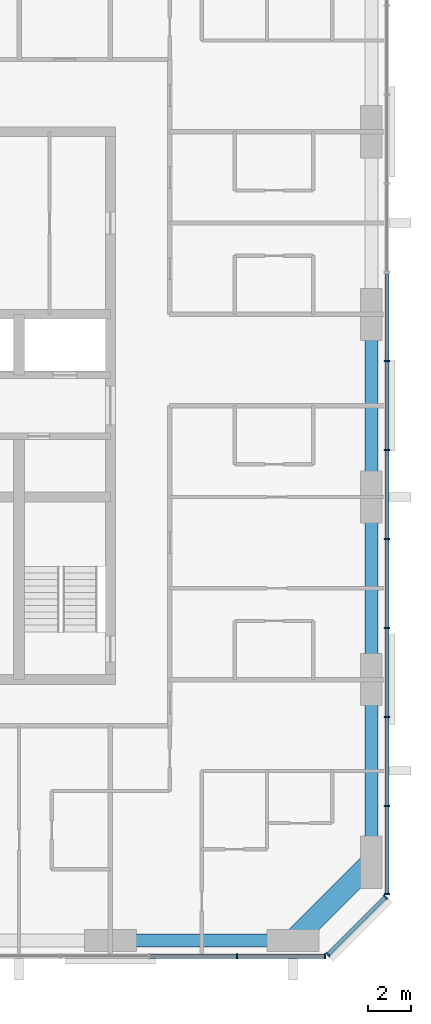
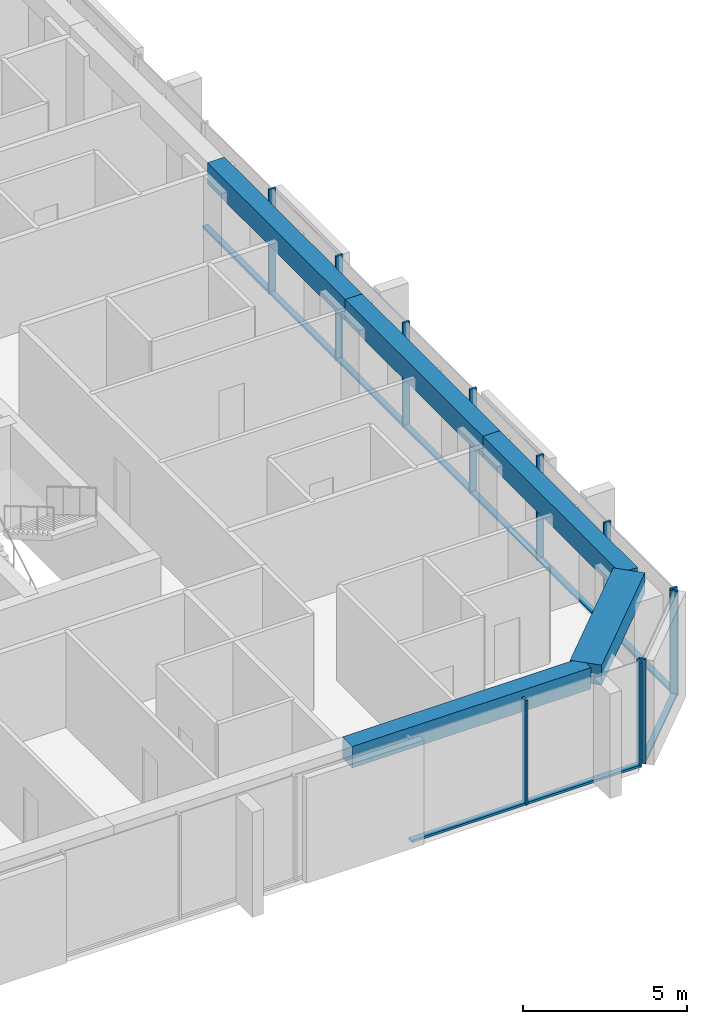
# One storey, part 3 of 12: 21 members, 5 beams, 3 elements without a shape of their own.
"""IFC4 building model written with IfcOpenShell, lengths in metres."""

from ifc_helpers import new_model, si_unit, direction, frame, origin, origin_2d, place, context, subcontext, project, spatial, rectangle, extrude, material, material_profile, profile_set, type_object, element, aggregate, save


model = new_model("IFC4")

# Units and contexts
model_context = context("Model", 3, precision=1e-05, world=origin(), true_north=direction((0.0, 1.0)))
body_context = subcontext(model_context, "Body", "Model", "MODEL_VIEW")
ifc_project = project(units=[si_unit("LENGTHUNIT", "METRE"), si_unit("AREAUNIT", "SQUARE_METRE"), si_unit("VOLUMEUNIT", "CUBIC_METRE"), si_unit("PLANEANGLEUNIT", "RADIAN"), si_unit("MASSUNIT", "GRAM", prefix="KILO")], contexts=[model_context])

# Site, building, storey
site_placement = place(None, origin())
site = spatial("IfcSite", under=ifc_project, at=site_placement, CompositionType="ELEMENT")
building_placement = place(site_placement, origin())
building = spatial("IfcBuilding", under=site, at=building_placement, Name="Dunama Terrace Hotel", CompositionType="ELEMENT")
storey_placement = place(building_placement, frame((0.0, 0.0, 252.89990234375)))
storey = spatial("IfcBuildingStorey", under=building, at=storey_placement, Name="L65", CompositionType="ELEMENT", Elevation=252.89990234375)

# Curtain wall, members
ifc_material_1 = material(Name="Aluminium curtain wall system", Category="aluminium")
curtain_wall_type = type_object("IfcCurtainWallType", Name="Unitised fritted glass wall CW-D", PredefinedType="NOTDEFINED", material=ifc_material_1)
curtain_wall_1_placement = place(storey_placement, origin())
curtain_wall_1 = element("IfcCurtainWall", 1, at=curtain_wall_1_placement, inside=storey, type_object=curtain_wall_type, Name="Unitised fritted glass wall CW-D L65", PredefinedType="NOTDEFINED")
ifc_material_2 = material(Name="Aluminium mullion", Category="aluminium")
ifc_material_profile_1 = material_profile(ifc_material_2, rectangle(XDim=0.070068359375, YDim=0.239990234375, at=origin_2d()), Name="CWD MULLION 70X240")
ifc_profile_set_1 = profile_set([ifc_material_profile_1], Name="Aluminium mullion")
member_type_1 = type_object("IfcMemberType", Name="CWD mullion 70x240", PredefinedType="MULLION", material=ifc_profile_set_1)
member_1_placement = place(storey_placement, frame((47.8330078125, 4.080078125, 0.0), z_axis=(0.0, 0.0, 1.0), x_axis=(1.0, 0.0, 0.0)))
member_1 = element("IfcMember", 2, at=member_1_placement, type_object=member_type_1, Name="CWD mullion", PredefinedType="MULLION", context=body_context, shape_type="SweptSolid", body=[
    extrude(rectangle(XDim=0.070068359375, YDim=0.239990234375, at=origin_2d()), origin(), (0.0, 0.0, 1.0), 3.900146484375),
])
member_2_placement = place(storey_placement, frame((51.864990234375, 4.080078125, 0.0), z_axis=(0.0, 0.0, 1.0), x_axis=(1.0, 0.0, 0.0)))
member_2 = element("IfcMember", 3, at=member_2_placement, type_object=member_type_1, Name="CWD mullion", PredefinedType="MULLION", context=body_context, shape_type="SweptSolid", body=[
    extrude(rectangle(XDim=0.070068359375, YDim=0.239990234375, at=origin_2d()), origin(), (0.0, 0.0, 1.0), 3.900146484375),
])

curtain_wall_2_placement = place(storey_placement, origin())
curtain_wall_2 = element("IfcCurtainWall", 4, at=curtain_wall_2_placement, inside=storey, type_object=curtain_wall_type, Name="Unitised fritted glass wall CW-D L65", PredefinedType="NOTDEFINED")
member_3_placement = place(storey_placement, frame((52.010009765625, 4.139892578125, 0.0), z_axis=(0.0, 0.0, 1.0), x_axis=(0.707106781187, 0.707106781187, 0.0)))
member_3 = element("IfcMember", 5, at=member_3_placement, type_object=member_type_1, Name="CWD mullion", PredefinedType="MULLION", context=body_context, shape_type="SweptSolid", body=[
    extrude(rectangle(XDim=0.070068359375, YDim=0.239990234375, at=origin_2d()), origin(), (0.0, 0.0, 1.0), 3.900146484375),
])
member_4_placement = place(storey_placement, frame((54.659912109375, 6.7900390625, 0.0), z_axis=(0.0, 0.0, 1.0), x_axis=(0.707106781187, 0.707106781187, 0.0)))
member_4 = element("IfcMember", 6, at=member_4_placement, type_object=member_type_1, Name="CWD mullion", PredefinedType="MULLION", context=body_context, shape_type="SweptSolid", body=[
    extrude(rectangle(XDim=0.070068359375, YDim=0.239990234375, at=origin_2d()), origin(), (0.0, 0.0, 1.0), 3.900146484375),
])

curtain_wall_3_placement = place(storey_placement, origin())
curtain_wall_3 = element("IfcCurtainWall", 7, at=curtain_wall_3_placement, inside=storey, type_object=curtain_wall_type, Name="Unitised fritted glass wall CW-D L65", PredefinedType="NOTDEFINED")
member_5_placement = place(storey_placement, frame((54.719970703125, 6.93505859375, 0.0), z_axis=(0.0, 0.0, 1.0), x_axis=(0.0, 1.0, 0.0)))
member_5 = element("IfcMember", 8, at=member_5_placement, type_object=member_type_1, Name="CWD mullion", PredefinedType="MULLION", context=body_context, shape_type="SweptSolid", body=[
    extrude(rectangle(XDim=0.070068359375, YDim=0.239990234375, at=origin_2d()), origin(), (0.0, 0.0, 1.0), 3.900146484375),
])
member_6_placement = place(storey_placement, frame((54.719970703125, 10.990966796875, 0.0), z_axis=(0.0, 0.0, 1.0), x_axis=(0.0, 1.0, 0.0)))
member_6 = element("IfcMember", 9, at=member_6_placement, type_object=member_type_1, Name="CWD mullion", PredefinedType="MULLION", context=body_context, shape_type="SweptSolid", body=[
    extrude(rectangle(XDim=0.070068359375, YDim=0.239990234375, at=origin_2d()), origin(), (0.0, 0.0, 1.0), 3.900146484375),
])
member_7_placement = place(storey_placement, frame((54.719970703125, 15.08203125, 0.0), z_axis=(0.0, 0.0, 1.0), x_axis=(0.0, 1.0, 0.0)))
member_7 = element("IfcMember", 10, at=member_7_placement, type_object=member_type_1, Name="CWD mullion", PredefinedType="MULLION", context=body_context, shape_type="SweptSolid", body=[
    extrude(rectangle(XDim=0.070068359375, YDim=0.239990234375, at=origin_2d()), origin(), (0.0, 0.0, 1.0), 3.900146484375),
])
member_8_placement = place(storey_placement, frame((54.719970703125, 19.173095703125, 0.0), z_axis=(0.0, 0.0, 1.0), x_axis=(0.0, 1.0, 0.0)))
member_8 = element("IfcMember", 11, at=member_8_placement, type_object=member_type_1, Name="CWD mullion", PredefinedType="MULLION", context=body_context, shape_type="SweptSolid", body=[
    extrude(rectangle(XDim=0.070068359375, YDim=0.239990234375, at=origin_2d()), origin(), (0.0, 0.0, 1.0), 3.900146484375),
])
member_9_placement = place(storey_placement, frame((54.719970703125, 23.263916015625, 0.0), z_axis=(0.0, 0.0, 1.0), x_axis=(0.0, 1.0, 0.0)))
member_9 = element("IfcMember", 12, at=member_9_placement, type_object=member_type_1, Name="CWD mullion", PredefinedType="MULLION", context=body_context, shape_type="SweptSolid", body=[
    extrude(rectangle(XDim=0.070068359375, YDim=0.239990234375, at=origin_2d()), origin(), (0.0, 0.0, 1.0), 3.900146484375),
])
member_10_placement = place(storey_placement, frame((54.719970703125, 27.35498046875, 0.0), z_axis=(0.0, 0.0, 1.0), x_axis=(0.0, 1.0, 0.0)))
member_10 = element("IfcMember", 13, at=member_10_placement, type_object=member_type_1, Name="CWD mullion", PredefinedType="MULLION", context=body_context, shape_type="SweptSolid", body=[
    extrude(rectangle(XDim=0.070068359375, YDim=0.239990234375, at=origin_2d()), origin(), (0.0, 0.0, 1.0), 3.900146484375),
])
member_11_placement = place(storey_placement, frame((54.719970703125, 31.445068359375, 0.0), z_axis=(0.0, 0.0, 1.0), x_axis=(0.0, 1.0, 0.0)))
member_11 = element("IfcMember", 14, at=member_11_placement, type_object=member_type_1, Name="CWD mullion", PredefinedType="MULLION", context=body_context, shape_type="SweptSolid", body=[
    extrude(rectangle(XDim=0.070068359375, YDim=0.239990234375, at=origin_2d()), origin(), (0.0, 0.0, 1.0), 3.900146484375),
])

# Member
ifc_material_3 = material(Name="Aluminium transom", Category="aluminium")
ifc_material_profile_2 = material_profile(ifc_material_3, rectangle(XDim=0.199951171875, YDim=0.0849609375, at=origin_2d()), Name="CWD TRANSOM 200X85")
ifc_profile_set_2 = profile_set([ifc_material_profile_2], Name="Aluminium transom")
member_type_2 = type_object("IfcMemberType", Name="CWD transom 200x85", PredefinedType="USERDEFINED", material=ifc_profile_set_2)
member_12_placement = place(storey_placement, frame((43.802001953125, 4.080078125, 0.04248046875), z_axis=(1.0, 0.0, 0.0), x_axis=(0.0, 1.0, 0.0)))
member_12 = element("IfcMember", 15, at=member_12_placement, type_object=member_type_2, Name="CWD transom", ObjectType="TRANSOM", PredefinedType="USERDEFINED", context=body_context, shape_type="SweptSolid", body=[
    extrude(rectangle(XDim=0.199951171875, YDim=0.0849609375, at=origin_2d()), origin(), (0.0, 0.0, 1.0), 3.99609375),
])

member_13_placement = place(storey_placement, frame((47.867919921875, 4.080078125, 0.04248046875), z_axis=(1.0, 0.0, 0.0), x_axis=(0.0, 1.0, 0.0)))
member_13 = element("IfcMember", 16, at=member_13_placement, type_object=member_type_2, Name="CWD transom", ObjectType="TRANSOM", PredefinedType="USERDEFINED", context=body_context, shape_type="SweptSolid", body=[
    extrude(rectangle(XDim=0.199951171875, YDim=0.0849609375, at=origin_2d()), origin(), (0.0, 0.0, 1.0), 3.962158203125),
])

aggregate(curtain_wall_1, [member_1, member_2, member_12, member_13])

member_14_placement = place(storey_placement, frame((52.033935546875, 4.1650390625, 0.04248046875), z_axis=(0.707106781187, 0.707106781187, 0.0), x_axis=(-0.707106781187, 0.707106781187, 0.0)))
member_14 = element("IfcMember", 17, at=member_14_placement, type_object=member_type_2, Name="CWD transom", ObjectType="TRANSOM", PredefinedType="USERDEFINED", context=body_context, shape_type="SweptSolid", body=[
    extrude(rectangle(XDim=0.199951171875, YDim=0.0849609375, at=origin_2d()), origin(), (0.0, 0.0, 1.0), 3.678466796875),
])

aggregate(curtain_wall_2, [member_3, member_4, member_14])

member_15_placement = place(storey_placement, frame((54.719970703125, 6.969970703125, 0.04248046875), z_axis=(0.0, 1.0, 0.0), x_axis=(-1.0, 0.0, 0.0)))
member_15 = element("IfcMember", 18, at=member_15_placement, type_object=member_type_2, Name="CWD transom", ObjectType="TRANSOM", PredefinedType="USERDEFINED", context=body_context, shape_type="SweptSolid", body=[
    extrude(rectangle(XDim=0.199951171875, YDim=0.0849609375, at=origin_2d()), origin(), (0.0, 0.0, 1.0), 3.986083984375),
])

member_16_placement = place(storey_placement, frame((54.719970703125, 11.02587890625, 0.04248046875), z_axis=(0.0, 1.0, 0.0), x_axis=(-1.0, 0.0, 0.0)))
member_16 = element("IfcMember", 19, at=member_16_placement, type_object=member_type_2, Name="CWD transom", ObjectType="TRANSOM", PredefinedType="USERDEFINED", context=body_context, shape_type="SweptSolid", body=[
    extrude(rectangle(XDim=0.199951171875, YDim=0.0849609375, at=origin_2d()), origin(), (0.0, 0.0, 1.0), 4.021240234375),
])

member_17_placement = place(storey_placement, frame((54.719970703125, 15.116943359375, 0.04248046875), z_axis=(0.0, 1.0, 0.0), x_axis=(-1.0, 0.0, 0.0)))
member_17 = element("IfcMember", 20, at=member_17_placement, type_object=member_type_2, Name="CWD transom", ObjectType="TRANSOM", PredefinedType="USERDEFINED", context=body_context, shape_type="SweptSolid", body=[
    extrude(rectangle(XDim=0.199951171875, YDim=0.0849609375, at=origin_2d()), origin(), (0.0, 0.0, 1.0), 4.02099609375),
])

member_18_placement = place(storey_placement, frame((54.719970703125, 19.2080078125, 0.04248046875), z_axis=(0.0, 1.0, 0.0), x_axis=(-1.0, 0.0, 0.0)))
member_18 = element("IfcMember", 21, at=member_18_placement, type_object=member_type_2, Name="CWD transom", ObjectType="TRANSOM", PredefinedType="USERDEFINED", context=body_context, shape_type="SweptSolid", body=[
    extrude(rectangle(XDim=0.199951171875, YDim=0.0849609375, at=origin_2d()), origin(), (0.0, 0.0, 1.0), 4.02099609375),
])

member_19_placement = place(storey_placement, frame((54.719970703125, 23.299072265625, 0.04248046875), z_axis=(0.0, 1.0, 0.0), x_axis=(-1.0, 0.0, 0.0)))
member_19 = element("IfcMember", 22, at=member_19_placement, type_object=member_type_2, Name="CWD transom", ObjectType="TRANSOM", PredefinedType="USERDEFINED", context=body_context, shape_type="SweptSolid", body=[
    extrude(rectangle(XDim=0.199951171875, YDim=0.0849609375, at=origin_2d()), origin(), (0.0, 0.0, 1.0), 4.02099609375),
])

member_20_placement = place(storey_placement, frame((54.719970703125, 27.389892578125, 0.04248046875), z_axis=(0.0, 1.0, 0.0), x_axis=(-1.0, 0.0, 0.0)))
member_20 = element("IfcMember", 23, at=member_20_placement, type_object=member_type_2, Name="CWD transom", ObjectType="TRANSOM", PredefinedType="USERDEFINED", context=body_context, shape_type="SweptSolid", body=[
    extrude(rectangle(XDim=0.199951171875, YDim=0.0849609375, at=origin_2d()), origin(), (0.0, 0.0, 1.0), 4.02001953125),
])

member_21_placement = place(storey_placement, frame((54.719970703125, 31.47998046875, 0.04248046875), z_axis=(0.0, 1.0, 0.0), x_axis=(-1.0, 0.0, 0.0)))
member_21 = element("IfcMember", 24, at=member_21_placement, type_object=member_type_2, Name="CWD transom", ObjectType="TRANSOM", PredefinedType="USERDEFINED", context=body_context, shape_type="SweptSolid", body=[
    extrude(rectangle(XDim=0.199951171875, YDim=0.0849609375, at=origin_2d()), origin(), (0.0, 0.0, 1.0), 4.02099609375),
])

aggregate(curtain_wall_3, [member_5, member_6, member_7, member_8, member_9, member_10, member_11, member_15, member_16, member_17, member_18, member_19, member_20, member_21])

# Beams
ifc_material_4 = material(Name="Concrete C50/60", Category="concrete")
ifc_material_profile_3 = material_profile(ifc_material_4, rectangle(XDim=1.0, YDim=0.75, at=origin_2d()), Name="RC 1000x750")
ifc_profile_set_3 = profile_set([ifc_material_profile_3], Name="Concrete C50/60")
beam_type_1 = type_object("IfcBeamType", Name="Edge beam RC 1000x750", PredefinedType="SPANDREL", material=ifc_profile_set_3)
beam_1_placement = place(storey_placement, frame((50.39990234375, 4.800048828125, 3.525146484375), z_axis=(0.707130757816, 0.707082803744, 0.0), x_axis=(-0.707082803744, 0.707130757816, 0.0)))
element("IfcBeam", 25, at=beam_1_placement, inside=storey, type_object=beam_type_1, Name="Corner edge beam under L66", PredefinedType="SPANDREL", context=body_context, shape_type="SweptSolid", body=[
    extrude(rectangle(XDim=1.0, YDim=0.75, at=origin_2d()), origin(), (0.0, 0.0, 1.0), 5.091064453125),
])
ifc_material_5 = material(Name="Concrete C40/50", Category="concrete")
ifc_material_profile_4 = material_profile(ifc_material_5, rectangle(XDim=0.60009765625, YDim=0.800048828125, at=origin_2d()), Name="RC 600x800")
ifc_profile_set_4 = profile_set([ifc_material_profile_4], Name="Concrete C40/50")
beam_type_2 = type_object("IfcBeamType", Name="Edge beam RC 600x800", PredefinedType="SPANDREL", material=ifc_profile_set_4)
beam_2_placement = place(storey_placement, frame((54.0, 8.39990234375, 3.5), z_axis=(0.0, 1.0, 0.0), x_axis=(-1.0, 0.0, 0.0)))
element("IfcBeam", 26, at=beam_2_placement, inside=storey, type_object=beam_type_2, Name="Edge beam under L66", PredefinedType="SPANDREL", context=body_context, shape_type="SweptSolid", body=[
    extrude(rectangle(XDim=0.60009765625, YDim=0.800048828125, at=origin_2d()), origin(), (0.0, 0.0, 1.0), 8.400146484375),
])
beam_3_placement = place(storey_placement, frame((54.0, 16.800048828125, 3.5), z_axis=(0.0, 1.0, 0.0), x_axis=(-1.0, 0.0, 0.0)))
element("IfcBeam", 27, at=beam_3_placement, inside=storey, type_object=beam_type_2, Name="Edge beam under L66", PredefinedType="SPANDREL", context=body_context, shape_type="SweptSolid", body=[
    extrude(rectangle(XDim=0.60009765625, YDim=0.800048828125, at=origin_2d()), origin(), (0.0, 0.0, 1.0), 8.39990234375),
])
beam_4_placement = place(storey_placement, frame((54.0, 25.199951171875, 3.5), z_axis=(0.0, 1.0, 0.0), x_axis=(-1.0, 0.0, 0.0)))
element("IfcBeam", 28, at=beam_4_placement, inside=storey, type_object=beam_type_2, Name="Edge beam under L66", PredefinedType="SPANDREL", context=body_context, shape_type="SweptSolid", body=[
    extrude(rectangle(XDim=0.60009765625, YDim=0.800048828125, at=origin_2d()), origin(), (0.0, 0.0, 1.0), 8.400146484375),
])
beam_5_placement = place(storey_placement, frame((42.0, 4.800048828125, 3.5), z_axis=(1.0, 0.0, 0.0), x_axis=(0.0, 1.0, 0.0)))
element("IfcBeam", 29, at=beam_5_placement, inside=storey, type_object=beam_type_2, Name="Edge beam under L66", PredefinedType="SPANDREL", context=body_context, shape_type="SweptSolid", body=[
    extrude(rectangle(XDim=0.60009765625, YDim=0.800048828125, at=origin_2d()), origin(), (0.0, 0.0, 1.0), 8.39990234375),
])

save(model, "model.ifc")
